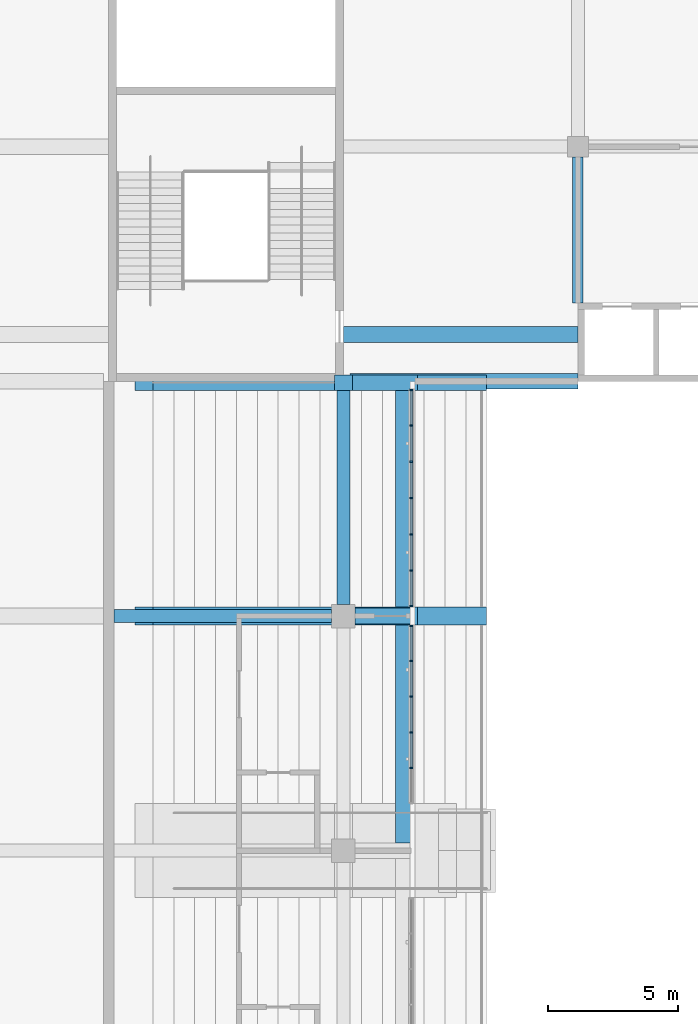
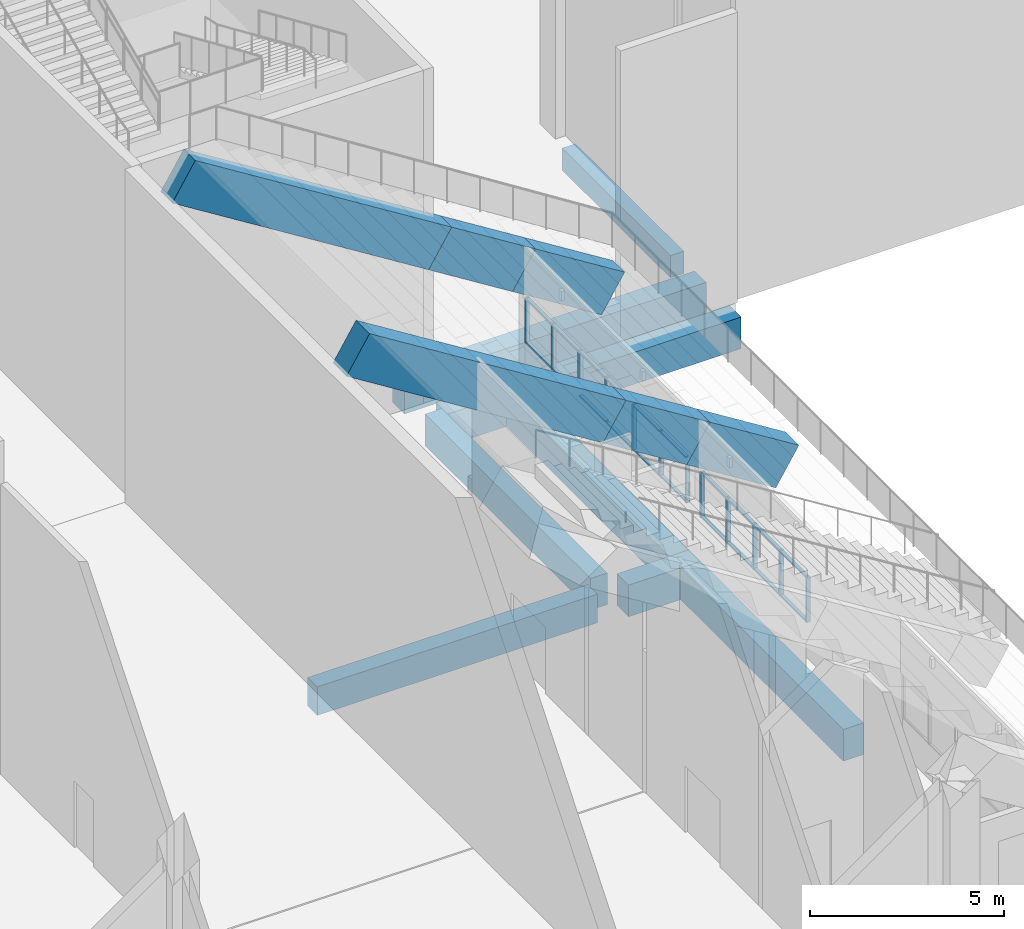
# One storey, part 33 of 182: 32 members, 14 beams, 2 elements without a shape of their own.
"""IFC4 building model written with IfcOpenShell, lengths in metres."""

from ifc_helpers import new_model, si_unit, direction, frame, origin, origin_2d, place, context, subcontext, project, spatial, rectangle, extrude, material, material_profile, profile_set, type_object, element, aggregate, save


model = new_model("IFC4")

# Units and contexts
model_context = context("Model", 3, precision=1e-05, world=origin(), true_north=direction((0.0, 1.0)))
body_context = subcontext(model_context, "Body", "Model", "MODEL_VIEW")
ifc_project = project(units=[si_unit("LENGTHUNIT", "METRE"), si_unit("AREAUNIT", "SQUARE_METRE"), si_unit("VOLUMEUNIT", "CUBIC_METRE"), si_unit("PLANEANGLEUNIT", "RADIAN"), si_unit("MASSUNIT", "GRAM", prefix="KILO")], contexts=[model_context])

# Site, building, storey
site_placement = place(None, origin())
site = spatial("IfcSite", under=ifc_project, at=site_placement, CompositionType="ELEMENT")
building_placement = place(site_placement, origin())
building = spatial("IfcBuilding", under=site, at=building_placement, Name="Silverbay Arena", CompositionType="ELEMENT")
storey_placement = place(building_placement, frame((0.0, 0.0, 11.5)))
storey = spatial("IfcBuildingStorey", under=building, at=storey_placement, Name="L02", CompositionType="ELEMENT", Elevation=11.5)

# Curtain wall, members
ifc_material_1 = material(Name="Fire-resisting glass", Category="glass")
curtain_wall_type_1 = type_object("IfcCurtainWallType", Name="Fire-resisting glazed screen EI 120 6850 x 1437", PredefinedType="NOTDEFINED", material=ifc_material_1)
curtain_wall_1_placement = place(storey_placement, origin())
curtain_wall_1 = element("IfcCurtainWall", 1, at=curtain_wall_1_placement, inside=storey, type_object=curtain_wall_type_1, Name="West suite front 3", PredefinedType="NOTDEFINED")
ifc_material_2 = material(Name="Aluminium", Category="aluminium")
ifc_material_profile_1 = material_profile(ifc_material_2, rectangle(XDim=0.1201171875, YDim=0.06005859375, at=origin_2d()), Name="Mullion 60 x 120")
ifc_profile_set_1 = profile_set([ifc_material_profile_1], Name="Aluminium")
member_type_1 = type_object("IfcMemberType", Name="Mullion 60 x 120", PredefinedType="MULLION", material=ifc_profile_set_1)
member_1_placement = place(storey_placement, frame((83.60009765625, 84.169921875, 1.10009765625), z_axis=(0.0, 0.0, 1.0), x_axis=(-1.0, 0.0, 0.0)))
member_1 = element("IfcMember", 2, at=member_1_placement, type_object=member_type_1, Name="CW19 mullion 2", PredefinedType="MULLION", context=body_context, shape_type="SweptSolid", body=[
    extrude(rectangle(XDim=0.1201171875, YDim=0.06005859375, at=origin_2d()), origin(), (0.0, 0.0, 1.0), 1.43701171875),
])
member_2_placement = place(storey_placement, frame((83.60009765625, 85.5400390625, 1.10009765625), z_axis=(0.0, 0.0, 1.0), x_axis=(-1.0, 0.0, 0.0)))
member_2 = element("IfcMember", 3, at=member_2_placement, type_object=member_type_1, Name="CW19 mullion 3", PredefinedType="MULLION", context=body_context, shape_type="SweptSolid", body=[
    extrude(rectangle(XDim=0.1201171875, YDim=0.06005859375, at=origin_2d()), origin(), (0.0, 0.0, 1.0), 1.43701171875),
])
member_3_placement = place(storey_placement, frame((83.60009765625, 86.909912109375, 1.10009765625), z_axis=(0.0, 0.0, 1.0), x_axis=(-1.0, 0.0, 0.0)))
member_3 = element("IfcMember", 4, at=member_3_placement, type_object=member_type_1, Name="CW19 mullion 4", PredefinedType="MULLION", context=body_context, shape_type="SweptSolid", body=[
    extrude(rectangle(XDim=0.1201171875, YDim=0.06005859375, at=origin_2d()), origin(), (0.0, 0.0, 1.0), 1.43701171875),
])
member_4_placement = place(storey_placement, frame((83.60009765625, 88.280029296875, 1.10009765625), z_axis=(0.0, 0.0, 1.0), x_axis=(-1.0, 0.0, 0.0)))
member_4 = element("IfcMember", 5, at=member_4_placement, type_object=member_type_1, Name="CW19 mullion 5", PredefinedType="MULLION", context=body_context, shape_type="SweptSolid", body=[
    extrude(rectangle(XDim=0.1201171875, YDim=0.06005859375, at=origin_2d()), origin(), (0.0, 0.0, 1.0), 1.43701171875),
])
member_5_placement = place(storey_placement, frame((83.60009765625, 89.6201171875, 1.10009765625), z_axis=(0.0, 0.0, 1.0), x_axis=(-1.0, 0.0, 0.0)))
member_5 = element("IfcMember", 6, at=member_5_placement, type_object=member_type_1, Name="CW19 mullion 6", PredefinedType="MULLION", context=body_context, shape_type="SweptSolid", body=[
    extrude(rectangle(XDim=0.1201171875, YDim=0.06005859375, at=origin_2d()), origin(), (0.0, 0.0, 1.0), 1.43701171875),
])

ifc_material_3 = material(Name="Fire-resisting glass", Category="glass")
curtain_wall_type_2 = type_object("IfcCurtainWallType", Name="Fire-resisting glazed screen EI 120 8350 x 1437", PredefinedType="NOTDEFINED", material=ifc_material_3)
curtain_wall_2_placement = place(storey_placement, origin())
curtain_wall_2 = element("IfcCurtainWall", 7, at=curtain_wall_2_placement, inside=storey, type_object=curtain_wall_type_2, Name="West suite front 4", PredefinedType="NOTDEFINED")
member_6_placement = place(storey_placement, frame((83.60009765625, 90.3798828125, 1.10009765625), z_axis=(0.0, 0.0, 1.0), x_axis=(-1.0, 0.0, 0.0)))
member_6 = element("IfcMember", 8, at=member_6_placement, type_object=member_type_1, Name="CW20 mullion 1", PredefinedType="MULLION", context=body_context, shape_type="SweptSolid", body=[
    extrude(rectangle(XDim=0.1201171875, YDim=0.06005859375, at=origin_2d()), origin(), (0.0, 0.0, 1.0), 1.43701171875),
])
member_7_placement = place(storey_placement, frame((83.60009765625, 91.74169921875, 1.10009765625), z_axis=(0.0, 0.0, 1.0), x_axis=(-1.0, 0.0, 0.0)))
member_7 = element("IfcMember", 9, at=member_7_placement, type_object=member_type_1, Name="CW20 mullion 2", PredefinedType="MULLION", context=body_context, shape_type="SweptSolid", body=[
    extrude(rectangle(XDim=0.1201171875, YDim=0.06005859375, at=origin_2d()), origin(), (0.0, 0.0, 1.0), 1.43701171875),
])
member_8_placement = place(storey_placement, frame((83.60009765625, 93.13330078125, 1.10009765625), z_axis=(0.0, 0.0, 1.0), x_axis=(-1.0, 0.0, 0.0)))
member_8 = element("IfcMember", 10, at=member_8_placement, type_object=member_type_1, Name="CW20 mullion 3", PredefinedType="MULLION", context=body_context, shape_type="SweptSolid", body=[
    extrude(rectangle(XDim=0.1201171875, YDim=0.06005859375, at=origin_2d()), origin(), (0.0, 0.0, 1.0), 1.43701171875),
])
member_9_placement = place(storey_placement, frame((83.60009765625, 94.52490234375, 1.10009765625), z_axis=(0.0, 0.0, 1.0), x_axis=(-1.0, 0.0, 0.0)))
member_9 = element("IfcMember", 11, at=member_9_placement, type_object=member_type_1, Name="CW20 mullion 4", PredefinedType="MULLION", context=body_context, shape_type="SweptSolid", body=[
    extrude(rectangle(XDim=0.1201171875, YDim=0.06005859375, at=origin_2d()), origin(), (0.0, 0.0, 1.0), 1.43701171875),
])
member_10_placement = place(storey_placement, frame((83.60009765625, 95.916748046875, 1.10009765625), z_axis=(0.0, 0.0, 1.0), x_axis=(-1.0, 0.0, 0.0)))
member_10 = element("IfcMember", 12, at=member_10_placement, type_object=member_type_1, Name="CW20 mullion 5", PredefinedType="MULLION", context=body_context, shape_type="SweptSolid", body=[
    extrude(rectangle(XDim=0.1201171875, YDim=0.06005859375, at=origin_2d()), origin(), (0.0, 0.0, 1.0), 1.43701171875),
])
member_11_placement = place(storey_placement, frame((83.60009765625, 97.308349609375, 1.10009765625), z_axis=(0.0, 0.0, 1.0), x_axis=(-1.0, 0.0, 0.0)))
member_11 = element("IfcMember", 13, at=member_11_placement, type_object=member_type_1, Name="CW20 mullion 6", PredefinedType="MULLION", context=body_context, shape_type="SweptSolid", body=[
    extrude(rectangle(XDim=0.1201171875, YDim=0.06005859375, at=origin_2d()), origin(), (0.0, 0.0, 1.0), 1.43701171875),
])
member_12_placement = place(storey_placement, frame((83.60009765625, 98.669921875, 1.10009765625), z_axis=(0.0, 0.0, 1.0), x_axis=(-1.0, 0.0, 0.0)))
member_12 = element("IfcMember", 14, at=member_12_placement, type_object=member_type_1, Name="CW20 mullion 7", PredefinedType="MULLION", context=body_context, shape_type="SweptSolid", body=[
    extrude(rectangle(XDim=0.1201171875, YDim=0.06005859375, at=origin_2d()), origin(), (0.0, 0.0, 1.0), 1.43701171875),
])

# Beams
ifc_material_4 = material(Name="Concrete Grade C45", Category="concrete")
ifc_material_profile_2 = material_profile(ifc_material_4, rectangle(XDim=0.39990234375, YDim=0.699951171875, at=origin_2d()), Name="RC 400x700")
ifc_profile_set_2 = profile_set([ifc_material_profile_2], Name="Concrete Grade C45")
beam_type_1 = type_object("IfcBeamType", Name="RC beam 400x700", PredefinedType="BEAM", material=ifc_profile_set_2)
beam_1_placement = place(storey_placement, frame((90.0, 102.0, -0.699951171875), z_axis=(0.0, 1.0, 0.0), x_axis=(-1.0, 0.0, 0.0)))
element("IfcBeam", 15, at=beam_1_placement, inside=storey, type_object=beam_type_1, Name="Floor beam L02 240", PredefinedType="BEAM", context=body_context, shape_type="SweptSolid", body=[
    extrude(rectangle(XDim=0.39990234375, YDim=0.699951171875, at=origin_2d()), origin(), (0.0, 0.0, 1.0), 5.60009765625),
])
ifc_material_5 = material(Name="Concrete Grade C45", Category="concrete")
ifc_material_profile_3 = material_profile(ifc_material_5, rectangle(XDim=0.5, YDim=1.0, at=origin_2d()), Name="RC 500x1000")
ifc_profile_set_3 = profile_set([ifc_material_profile_3], Name="Concrete Grade C45")
beam_type_2 = type_object("IfcBeamType", Name="RC beam 500x1000", PredefinedType="BEAM", material=ifc_profile_set_3)
beam_2_placement = place(storey_placement, frame((81.0, 90.449951171875, -0.85009765625), z_axis=(0.0, 1.0, 0.0), x_axis=(-1.0, 0.0, 0.0)))
element("IfcBeam", 16, at=beam_2_placement, inside=storey, type_object=beam_type_2, Name="Floor beam L02 235", PredefinedType="BEAM", context=body_context, shape_type="SweptSolid", body=[
    extrude(rectangle(XDim=0.5, YDim=1.0, at=origin_2d()), origin(), (0.0, 0.0, 1.0), 8.550048828125),
])
ifc_material_6 = material(Name="Concrete Grade C45", Category="concrete")
ifc_material_profile_4 = material_profile(ifc_material_6, rectangle(XDim=0.5, YDim=0.89990234375, at=origin_2d()), Name="RC 500x900")
ifc_profile_set_4 = profile_set([ifc_material_profile_4], Name="Concrete Grade C45")
beam_type_3 = type_object("IfcBeamType", Name="RC beam 500x900", PredefinedType="BEAM", material=ifc_profile_set_4)
beam_3_placement = place(storey_placement, frame((72.199951171875, 90.0, -0.800048828125), z_axis=(1.0, 0.0, 0.0), x_axis=(0.0, 1.0, 0.0)))
element("IfcBeam", 17, at=beam_3_placement, inside=storey, type_object=beam_type_3, Name="Floor beam L02 102", PredefinedType="BEAM", context=body_context, shape_type="SweptSolid", body=[
    extrude(rectangle(XDim=0.5, YDim=0.89990234375, at=origin_2d()), origin(), (0.0, 0.0, 1.0), 8.35009765625),
])
ifc_material_7 = material(Name="Concrete Grade C45", Category="concrete")
ifc_material_profile_5 = material_profile(ifc_material_7, rectangle(XDim=0.60009765625, YDim=1.0, at=origin_2d()), Name="RC 600x1000")
ifc_profile_set_5 = profile_set([ifc_material_profile_5], Name="Concrete Grade C45")
beam_type_4 = type_object("IfcBeamType", Name="RC beam 600x1000", PredefinedType="BEAM", material=ifc_profile_set_5)
beam_4_placement = place(storey_placement, frame((81.449951171875, 90.0, -0.85009765625), z_axis=(1.0, 0.0, 0.0), x_axis=(0.0, 1.0, 0.0)))
element("IfcBeam", 18, at=beam_4_placement, inside=storey, type_object=beam_type_4, Name="Floor beam L02 103", PredefinedType="BEAM", context=body_context, shape_type="SweptSolid", body=[
    extrude(rectangle(XDim=0.60009765625, YDim=1.0, at=origin_2d()), origin(), (0.0, 0.0, 1.0), 2.150146484375),
])
beam_5_placement = place(storey_placement, frame((81.25, 99.0, -0.85009765625), z_axis=(1.0, 0.0, 0.0), x_axis=(0.0, 1.0, 0.0)))
element("IfcBeam", 19, at=beam_5_placement, inside=storey, type_object=beam_type_4, Name="Floor beam L02 114", PredefinedType="BEAM", context=body_context, shape_type="SweptSolid", body=[
    extrude(rectangle(XDim=0.60009765625, YDim=1.0, at=origin_2d()), origin(), (0.0, 0.0, 1.0), 8.75),
])
beam_6_placement = place(storey_placement, frame((81.0, 100.800048828125, -0.85009765625), z_axis=(1.0, 0.0, 0.0), x_axis=(0.0, 1.0, 0.0)))
element("IfcBeam", 20, at=beam_6_placement, inside=storey, type_object=beam_type_4, Name="Floor beam L02 121", PredefinedType="BEAM", context=body_context, shape_type="SweptSolid", body=[
    extrude(rectangle(XDim=0.60009765625, YDim=1.0, at=origin_2d()), origin(), (0.0, 0.0, 1.0), 9.0),
])
for number, where, z_axis, x_axis, name in (
    (21, (83.300048828125, 81.300048828125, -0.85009765625), (0.0, 1.0, 0.0), (-1.0, 0.0, 0.0), "Floor beam L02 381"),
    (22, (83.300048828125, 90.300048828125, -0.85009765625), (0.0, 1.0, 0.0), (-1.0, 0.0, 0.0), "Floor beam L02 382"),
):
    element("IfcBeam", number, at=place(storey_placement, frame(where, z_axis=z_axis, x_axis=x_axis)), inside=storey, type_object=beam_type_4, Name=name, PredefinedType="BEAM", context=body_context, shape_type="SweptSolid", body=[
        extrude(rectangle(XDim=0.60009765625, YDim=1.0, at=origin_2d()), origin(), (0.0, 0.0, 1.0), 8.39990234375),
    ])
ifc_material_8 = material(Name="Concrete Grade C45", Category="concrete")
ifc_material_profile_6 = material_profile(ifc_material_8, rectangle(XDim=0.60009765625, YDim=1.300048828125, at=origin_2d()), Name="RC 600x1300")
ifc_profile_set_6 = profile_set([ifc_material_profile_6], Name="Concrete Grade C45")
beam_type_5 = type_object("IfcBeamType", Name="RC cantilever raker 600x1300", PredefinedType="BEAM", material=ifc_profile_set_6)
beam_7_placement = place(storey_placement, frame((86.155517578125, 98.949951171875, 1.768798828125), z_axis=(-0.848002683915, 0.0, 0.529991932082), x_axis=(0.0, -1.0, 0.0)))
element("IfcBeam", 23, at=beam_7_placement, inside=storey, type_object=beam_type_5, Name="Raker West upper 99 tip", PredefinedType="BEAM", context=body_context, shape_type="SweptSolid", body=[
    extrude(rectangle(XDim=0.60009765625, YDim=1.300048828125, at=origin_2d()), origin(), (0.0, 0.0, 1.0), 3.131591796875),
])
beam_8_placement = place(storey_placement, frame((83.5, 98.949951171875, 3.428466796875), z_axis=(-0.847998304005, 0.0, 0.529998940003), x_axis=(0.0, -1.0, 0.0)))
element("IfcBeam", 24, at=beam_8_placement, inside=storey, type_object=beam_type_5, Name="Raker West upper 99 mid", PredefinedType="BEAM", context=body_context, shape_type="SweptSolid", body=[
    extrude(rectangle(XDim=0.60009765625, YDim=1.300048828125, at=origin_2d()), origin(), (0.0, 0.0, 1.0), 2.947998046875),
])
ifc_material_9 = material(Name="Concrete Grade C45", Category="concrete")
ifc_material_profile_7 = material_profile(ifc_material_9, rectangle(XDim=0.699951171875, YDim=1.300048828125, at=origin_2d()), Name="RC 700x1300")
ifc_profile_set_7 = profile_set([ifc_material_profile_7], Name="Concrete Grade C45")
beam_type_6 = type_object("IfcBeamType", Name="RC cantilever raker 700x1300", PredefinedType="BEAM", material=ifc_profile_set_7)
beam_9_placement = place(storey_placement, frame((86.155517578125, 90.0, 1.768798828125), z_axis=(-0.848002683915, 0.0, 0.529991932082), x_axis=(0.0, -1.0, 0.0)))
element("IfcBeam", 25, at=beam_9_placement, inside=storey, type_object=beam_type_6, Name="Raker West upper 90 tip", PredefinedType="BEAM", context=body_context, shape_type="SweptSolid", body=[
    extrude(rectangle(XDim=0.699951171875, YDim=1.300048828125, at=origin_2d()), origin(), (0.0, 0.0, 1.0), 3.131591796875),
])
beam_10_placement = place(storey_placement, frame((83.5, 90.0, 3.428466796875), z_axis=(-0.847998304005, 0.0, 0.529998940003), x_axis=(0.0, -1.0, 0.0)))
element("IfcBeam", 26, at=beam_10_placement, inside=storey, type_object=beam_type_6, Name="Raker West upper 90 mid", PredefinedType="BEAM", context=body_context, shape_type="SweptSolid", body=[
    extrude(rectangle(XDim=0.699951171875, YDim=1.300048828125, at=origin_2d()), origin(), (0.0, 0.0, 1.0), 2.947998046875),
])
ifc_material_10 = material(Name="Concrete Grade C45", Category="concrete")
ifc_material_profile_8 = material_profile(ifc_material_10, rectangle(XDim=0.60009765625, YDim=1.300048828125, at=origin_2d()), Name="RC 600x1300")
ifc_profile_set_8 = profile_set([ifc_material_profile_8], Name="Concrete Grade C45")
beam_type_7 = type_object("IfcBeamType", Name="RC tier raker 600x1300", PredefinedType="BEAM", material=ifc_profile_set_8)
beam_11_placement = place(storey_placement, frame((81.0, 98.949951171875, 4.990966796875), z_axis=(-0.847998304005, 0.0, 0.529998940003), x_axis=(0.0, -1.0, 0.0)))
element("IfcBeam", 27, at=beam_11_placement, inside=storey, type_object=beam_type_7, Name="Raker West upper 99 back", PredefinedType="BEAM", context=body_context, shape_type="SweptSolid", body=[
    extrude(rectangle(XDim=0.60009765625, YDim=1.300048828125, at=origin_2d()), origin(), (0.0, 0.0, 1.0), 9.014892578125),
])
ifc_material_11 = material(Name="Concrete Grade C45", Category="concrete")
ifc_material_profile_9 = material_profile(ifc_material_11, rectangle(XDim=0.699951171875, YDim=1.300048828125, at=origin_2d()), Name="RC 700x1300")
ifc_profile_set_9 = profile_set([ifc_material_profile_9], Name="Concrete Grade C45")
beam_type_8 = type_object("IfcBeamType", Name="RC tier raker 700x1300", PredefinedType="BEAM", material=ifc_profile_set_9)
beam_12_placement = place(storey_placement, frame((81.0, 90.0, 4.990966796875), z_axis=(-0.847998304005, 0.0, 0.529998940003), x_axis=(0.0, -1.0, 0.0)))
element("IfcBeam", 28, at=beam_12_placement, inside=storey, type_object=beam_type_8, Name="Raker West upper 90 back", PredefinedType="BEAM", context=body_context, shape_type="SweptSolid", body=[
    extrude(rectangle(XDim=0.699951171875, YDim=1.300048828125, at=origin_2d()), origin(), (0.0, 0.0, 1.0), 9.014892578125),
])

# Member
ifc_material_12 = material(Name="Aluminium", Category="aluminium")
ifc_material_profile_10 = material_profile(ifc_material_12, rectangle(XDim=0.10009765625, YDim=0.050048828125, at=origin_2d()), Name="Transom 50 x 100")
ifc_profile_set_10 = profile_set([ifc_material_profile_10], Name="Aluminium")
member_type_2 = type_object("IfcMemberType", Name="Transom 50 x 100", PredefinedType="USERDEFINED", material=ifc_profile_set_10)
member_13_placement = place(storey_placement, frame((83.60009765625, 84.199951171875, 1.125), z_axis=(0.0, 1.0, 0.0), x_axis=(-1.0, 0.0, 0.0)))
member_13 = element("IfcMember", 29, at=member_13_placement, type_object=member_type_2, Name="CW19 transom 2.1", ObjectType="TRANSOM", PredefinedType="USERDEFINED", context=body_context, shape_type="SweptSolid", body=[
    extrude(rectangle(XDim=0.10009765625, YDim=0.050048828125, at=origin_2d()), origin(), (0.0, 0.0, 1.0), 1.31005859375),
])

member_14_placement = place(storey_placement, frame((83.60009765625, 84.199951171875, 2.511962890625), z_axis=(0.0, 1.0, 0.0), x_axis=(-1.0, 0.0, 0.0)))
member_14 = element("IfcMember", 30, at=member_14_placement, type_object=member_type_2, Name="CW19 transom 2.2", ObjectType="TRANSOM", PredefinedType="USERDEFINED", context=body_context, shape_type="SweptSolid", body=[
    extrude(rectangle(XDim=0.10009765625, YDim=0.050048828125, at=origin_2d()), origin(), (0.0, 0.0, 1.0), 1.31005859375),
])

member_15_placement = place(storey_placement, frame((83.60009765625, 85.570068359375, 1.125), z_axis=(0.0, 1.0, 0.0), x_axis=(-1.0, 0.0, 0.0)))
member_15 = element("IfcMember", 31, at=member_15_placement, type_object=member_type_2, Name="CW19 transom 3.1", ObjectType="TRANSOM", PredefinedType="USERDEFINED", context=body_context, shape_type="SweptSolid", body=[
    extrude(rectangle(XDim=0.10009765625, YDim=0.050048828125, at=origin_2d()), origin(), (0.0, 0.0, 1.0), 1.309814453125),
])

member_16_placement = place(storey_placement, frame((83.60009765625, 85.570068359375, 2.511962890625), z_axis=(0.0, 1.0, 0.0), x_axis=(-1.0, 0.0, 0.0)))
member_16 = element("IfcMember", 32, at=member_16_placement, type_object=member_type_2, Name="CW19 transom 3.2", ObjectType="TRANSOM", PredefinedType="USERDEFINED", context=body_context, shape_type="SweptSolid", body=[
    extrude(rectangle(XDim=0.10009765625, YDim=0.050048828125, at=origin_2d()), origin(), (0.0, 0.0, 1.0), 1.309814453125),
])

member_17_placement = place(storey_placement, frame((83.60009765625, 86.93994140625, 1.125), z_axis=(0.0, 1.0, 0.0), x_axis=(-1.0, 0.0, 0.0)))
member_17 = element("IfcMember", 33, at=member_17_placement, type_object=member_type_2, Name="CW19 transom 4.1", ObjectType="TRANSOM", PredefinedType="USERDEFINED", context=body_context, shape_type="SweptSolid", body=[
    extrude(rectangle(XDim=0.10009765625, YDim=0.050048828125, at=origin_2d()), origin(), (0.0, 0.0, 1.0), 1.31005859375),
])

member_18_placement = place(storey_placement, frame((83.60009765625, 86.93994140625, 2.511962890625), z_axis=(0.0, 1.0, 0.0), x_axis=(-1.0, 0.0, 0.0)))
member_18 = element("IfcMember", 34, at=member_18_placement, type_object=member_type_2, Name="CW19 transom 4.2", ObjectType="TRANSOM", PredefinedType="USERDEFINED", context=body_context, shape_type="SweptSolid", body=[
    extrude(rectangle(XDim=0.10009765625, YDim=0.050048828125, at=origin_2d()), origin(), (0.0, 0.0, 1.0), 1.31005859375),
])

member_19_placement = place(storey_placement, frame((83.60009765625, 88.31005859375, 1.125), z_axis=(0.0, 1.0, 0.0), x_axis=(-1.0, 0.0, 0.0)))
member_19 = element("IfcMember", 35, at=member_19_placement, type_object=member_type_2, Name="CW19 transom 5.1", ObjectType="TRANSOM", PredefinedType="USERDEFINED", context=body_context, shape_type="SweptSolid", body=[
    extrude(rectangle(XDim=0.10009765625, YDim=0.050048828125, at=origin_2d()), origin(), (0.0, 0.0, 1.0), 1.280029296875),
])

member_20_placement = place(storey_placement, frame((83.60009765625, 88.31005859375, 2.511962890625), z_axis=(0.0, 1.0, 0.0), x_axis=(-1.0, 0.0, 0.0)))
member_20 = element("IfcMember", 36, at=member_20_placement, type_object=member_type_2, Name="CW19 transom 5.2", ObjectType="TRANSOM", PredefinedType="USERDEFINED", context=body_context, shape_type="SweptSolid", body=[
    extrude(rectangle(XDim=0.10009765625, YDim=0.050048828125, at=origin_2d()), origin(), (0.0, 0.0, 1.0), 1.280029296875),
])

aggregate(curtain_wall_1, [member_1, member_2, member_3, member_4, member_5, member_13, member_14, member_15, member_16, member_17, member_18, member_19, member_20])

member_21_placement = place(storey_placement, frame((83.60009765625, 90.409912109375, 1.125), z_axis=(0.0, 1.0, 0.0), x_axis=(-1.0, 0.0, 0.0)))
member_21 = element("IfcMember", 37, at=member_21_placement, type_object=member_type_2, Name="CW20 transom 1.1", ObjectType="TRANSOM", PredefinedType="USERDEFINED", context=body_context, shape_type="SweptSolid", body=[
    extrude(rectangle(XDim=0.10009765625, YDim=0.050048828125, at=origin_2d()), origin(), (0.0, 0.0, 1.0), 1.3017578125),
])

member_22_placement = place(storey_placement, frame((83.60009765625, 90.409912109375, 2.511962890625), z_axis=(0.0, 1.0, 0.0), x_axis=(-1.0, 0.0, 0.0)))
member_22 = element("IfcMember", 38, at=member_22_placement, type_object=member_type_2, Name="CW20 transom 1.2", ObjectType="TRANSOM", PredefinedType="USERDEFINED", context=body_context, shape_type="SweptSolid", body=[
    extrude(rectangle(XDim=0.10009765625, YDim=0.050048828125, at=origin_2d()), origin(), (0.0, 0.0, 1.0), 1.3017578125),
])

member_23_placement = place(storey_placement, frame((83.60009765625, 91.771728515625, 1.125), z_axis=(0.0, 1.0, 0.0), x_axis=(-1.0, 0.0, 0.0)))
member_23 = element("IfcMember", 39, at=member_23_placement, type_object=member_type_2, Name="CW20 transom 2.1", ObjectType="TRANSOM", PredefinedType="USERDEFINED", context=body_context, shape_type="SweptSolid", body=[
    extrude(rectangle(XDim=0.10009765625, YDim=0.050048828125, at=origin_2d()), origin(), (0.0, 0.0, 1.0), 1.33154296875),
])

member_24_placement = place(storey_placement, frame((83.60009765625, 91.771728515625, 2.511962890625), z_axis=(0.0, 1.0, 0.0), x_axis=(-1.0, 0.0, 0.0)))
member_24 = element("IfcMember", 40, at=member_24_placement, type_object=member_type_2, Name="CW20 transom 2.2", ObjectType="TRANSOM", PredefinedType="USERDEFINED", context=body_context, shape_type="SweptSolid", body=[
    extrude(rectangle(XDim=0.10009765625, YDim=0.050048828125, at=origin_2d()), origin(), (0.0, 0.0, 1.0), 1.33154296875),
])

member_25_placement = place(storey_placement, frame((83.60009765625, 93.163330078125, 1.125), z_axis=(0.0, 1.0, 0.0), x_axis=(-1.0, 0.0, 0.0)))
member_25 = element("IfcMember", 41, at=member_25_placement, type_object=member_type_2, Name="CW20 transom 3.1", ObjectType="TRANSOM", PredefinedType="USERDEFINED", context=body_context, shape_type="SweptSolid", body=[
    extrude(rectangle(XDim=0.10009765625, YDim=0.050048828125, at=origin_2d()), origin(), (0.0, 0.0, 1.0), 1.331787109375),
])

member_26_placement = place(storey_placement, frame((83.60009765625, 93.163330078125, 2.511962890625), z_axis=(0.0, 1.0, 0.0), x_axis=(-1.0, 0.0, 0.0)))
member_26 = element("IfcMember", 42, at=member_26_placement, type_object=member_type_2, Name="CW20 transom 3.2", ObjectType="TRANSOM", PredefinedType="USERDEFINED", context=body_context, shape_type="SweptSolid", body=[
    extrude(rectangle(XDim=0.10009765625, YDim=0.050048828125, at=origin_2d()), origin(), (0.0, 0.0, 1.0), 1.331787109375),
])

member_27_placement = place(storey_placement, frame((83.60009765625, 94.554931640625, 1.125), z_axis=(0.0, 1.0, 0.0), x_axis=(-1.0, 0.0, 0.0)))
member_27 = element("IfcMember", 43, at=member_27_placement, type_object=member_type_2, Name="CW20 transom 4.1", ObjectType="TRANSOM", PredefinedType="USERDEFINED", context=body_context, shape_type="SweptSolid", body=[
    extrude(rectangle(XDim=0.10009765625, YDim=0.050048828125, at=origin_2d()), origin(), (0.0, 0.0, 1.0), 1.331787109375),
])

member_28_placement = place(storey_placement, frame((83.60009765625, 94.554931640625, 2.511962890625), z_axis=(0.0, 1.0, 0.0), x_axis=(-1.0, 0.0, 0.0)))
member_28 = element("IfcMember", 44, at=member_28_placement, type_object=member_type_2, Name="CW20 transom 4.2", ObjectType="TRANSOM", PredefinedType="USERDEFINED", context=body_context, shape_type="SweptSolid", body=[
    extrude(rectangle(XDim=0.10009765625, YDim=0.050048828125, at=origin_2d()), origin(), (0.0, 0.0, 1.0), 1.331787109375),
])

member_29_placement = place(storey_placement, frame((83.60009765625, 95.94677734375, 1.125), z_axis=(0.0, 1.0, 0.0), x_axis=(-1.0, 0.0, 0.0)))
member_29 = element("IfcMember", 45, at=member_29_placement, type_object=member_type_2, Name="CW20 transom 5.1", ObjectType="TRANSOM", PredefinedType="USERDEFINED", context=body_context, shape_type="SweptSolid", body=[
    extrude(rectangle(XDim=0.10009765625, YDim=0.050048828125, at=origin_2d()), origin(), (0.0, 0.0, 1.0), 1.33154296875),
])

member_30_placement = place(storey_placement, frame((83.60009765625, 95.94677734375, 2.511962890625), z_axis=(0.0, 1.0, 0.0), x_axis=(-1.0, 0.0, 0.0)))
member_30 = element("IfcMember", 46, at=member_30_placement, type_object=member_type_2, Name="CW20 transom 5.2", ObjectType="TRANSOM", PredefinedType="USERDEFINED", context=body_context, shape_type="SweptSolid", body=[
    extrude(rectangle(XDim=0.10009765625, YDim=0.050048828125, at=origin_2d()), origin(), (0.0, 0.0, 1.0), 1.33154296875),
])

member_31_placement = place(storey_placement, frame((83.60009765625, 97.33837890625, 1.125), z_axis=(0.0, 1.0, 0.0), x_axis=(-1.0, 0.0, 0.0)))
member_31 = element("IfcMember", 47, at=member_31_placement, type_object=member_type_2, Name="CW20 transom 6.1", ObjectType="TRANSOM", PredefinedType="USERDEFINED", context=body_context, shape_type="SweptSolid", body=[
    extrude(rectangle(XDim=0.10009765625, YDim=0.050048828125, at=origin_2d()), origin(), (0.0, 0.0, 1.0), 1.301513671875),
])

member_32_placement = place(storey_placement, frame((83.60009765625, 97.33837890625, 2.511962890625), z_axis=(0.0, 1.0, 0.0), x_axis=(-1.0, 0.0, 0.0)))
member_32 = element("IfcMember", 48, at=member_32_placement, type_object=member_type_2, Name="CW20 transom 6.2", ObjectType="TRANSOM", PredefinedType="USERDEFINED", context=body_context, shape_type="SweptSolid", body=[
    extrude(rectangle(XDim=0.10009765625, YDim=0.050048828125, at=origin_2d()), origin(), (0.0, 0.0, 1.0), 1.301513671875),
])

aggregate(curtain_wall_2, [member_6, member_7, member_8, member_9, member_10, member_11, member_12, member_21, member_22, member_23, member_24, member_25, member_26, member_27, member_28, member_29, member_30, member_31, member_32])

save(model, "model.ifc")
